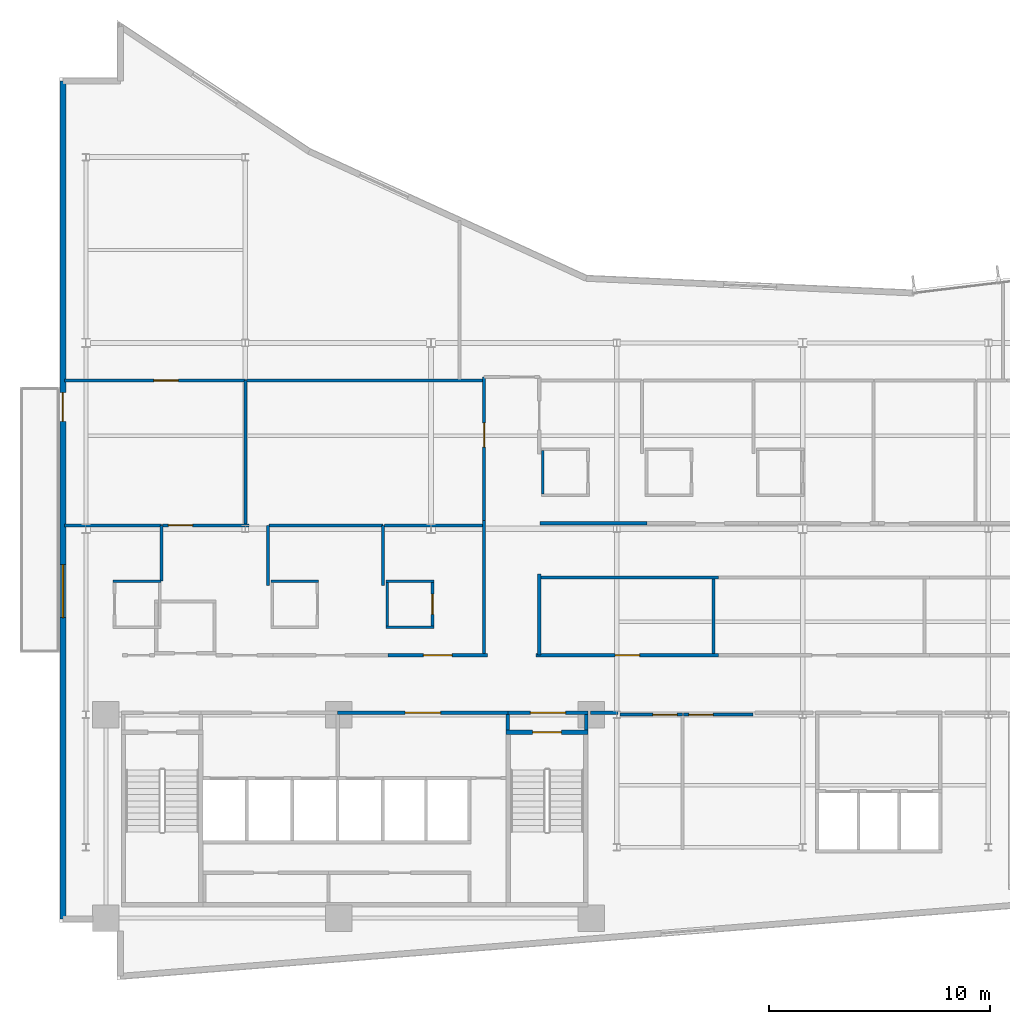
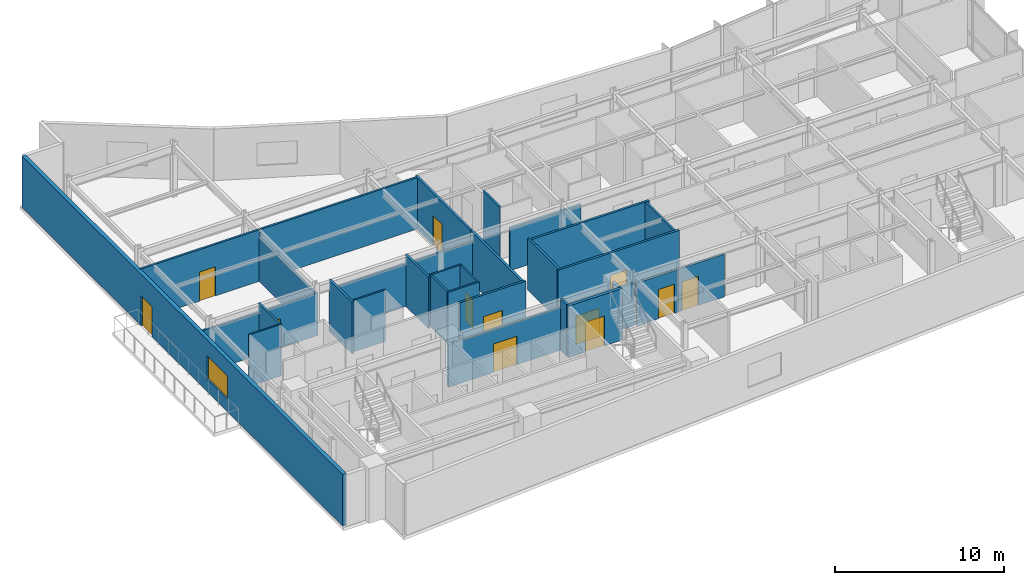
# One storey, part 11 of 18: 34 walls, 12 doors, 1 window, 13 openings.
"""IFC4 building model written with IfcOpenShell, lengths in metres."""

from ifc_helpers import new_model, si_unit, direction, frame, frame_2d, origin, place, context, subcontext, project, spatial, rectangle, extrude, material, layer, layer_set, type_object, element, fill, save


model = new_model("IFC4")

# Units and contexts
model_context = context("Model", 3, precision=1e-05, world=origin(), true_north=direction((0.0, 1.0)))
body_context = subcontext(model_context, "Body", "Model", "MODEL_VIEW")
ifc_project = project(units=[si_unit("LENGTHUNIT", "METRE"), si_unit("AREAUNIT", "SQUARE_METRE"), si_unit("VOLUMEUNIT", "CUBIC_METRE"), si_unit("PLANEANGLEUNIT", "RADIAN"), si_unit("MASSUNIT", "GRAM", prefix="KILO")], contexts=[model_context])

# Site, building, storey
site_placement = place(None, origin())
site = spatial("IfcSite", under=ifc_project, at=site_placement, CompositionType="ELEMENT")
building_placement = place(site_placement, origin())
building = spatial("IfcBuilding", under=site, at=building_placement, Name="Varnakote Quay Hospital", CompositionType="ELEMENT")
storey_placement = place(building_placement, frame((0.0, 0.0, 119.14990234375)))
storey = spatial("IfcBuildingStorey", under=building, at=storey_placement, Name="L29", CompositionType="ELEMENT", Elevation=119.14990234375)

# Wall, opening, door
ifc_material_1 = material(Name="Fire-rated acoustic gypsum stud wall", Category="gypsum")
ifc_layer_1 = layer(ifc_material_1, 0.159912109375)
ifc_layer_set_1 = layer_set([ifc_layer_1], Name="Fire-rated acoustic gypsum stud wall")
wall_type_1 = type_object("IfcWallType", Name="WL-COMP-160", PredefinedType="PARTITIONING", material=ifc_layer_set_1)
wall_1_placement = place(storey_placement, frame((12.580078125, 12.080078125, 0.0), z_axis=(0.0, 0.0, 1.0), x_axis=(1.0, 0.0, 0.0)))
wall_1 = element("IfcWall", 1, at=wall_1_placement, inside=storey, type_object=wall_type_1, Name="L29 Clinical Bed Lift Lobby Wall", PredefinedType="PARTITIONING", context=body_context, shape_type="SweptSolid", body=[
    extrude(rectangle(XDim=7.699951171875, YDim=0.159912109375, at=frame_2d((3.85009765625, 0.0))), origin(), (0.0, 0.0, 1.0), 3.0830078125),
])
opening_1_placement = place(wall_1_placement, frame((3.050048828125, 0.0, 0.0)))
opening_1 = element("IfcOpeningElement", 2, at=opening_1_placement, cuts=wall_1, Name="Opening D-SVL-L29", PredefinedType="OPENING", context=body_context, shape_type="SweptSolid", body=[
    extrude(rectangle(XDim=1.60009765625, YDim=2.050048828125, at=frame_2d((0.800048828125, 1.02490234375))), frame((0.0, 0.08984375, 0.0), z_axis=(0.0, -1.0, 0.0), x_axis=(1.0, 0.0, 0.0)), (0.0, 0.0, 1.0), 0.179931640625),
])
ifc_material_2 = material(Name="Fire-rated double smoke lobby door")
door_type_1 = type_object("IfcDoorType", Name="DR-LOBBY-FD60S-1600x2150", OperationType="NOTDEFINED", PredefinedType="DOOR", material=ifc_material_2)
door_1_placement = place(opening_1_placement, origin())
door_1 = element("IfcDoor", 3, at=door_1_placement, inside=storey, type_object=door_type_1, Name="L29 Clinical Core Smoke Vestibule Door", OperationType="DOUBLE_DOOR_SINGLE_SWING", OverallHeight=2.050048828125, OverallWidth=1.60009765625, PredefinedType="DOOR", context=body_context, shape_type="SweptSolid", body=[
    extrude(rectangle(XDim=1.60009765625, YDim=2.050048828125, at=frame_2d((0.800048828125, 1.02490234375))), frame((0.0, 0.02490234375, 0.0), z_axis=(0.0, -1.0, 0.0), x_axis=(1.0, 0.0, 0.0)), (0.0, 0.0, 1.0), 0.050048828125),
])
fill(opening_1, door_1)

# Wall
wall_2_placement = place(storey_placement, frame((20.280029296875, 11.300048828125, 0.0), z_axis=(0.0, 0.0, 1.0), x_axis=(0.0, 1.0, 0.0)))
element("IfcWall", 4, at=wall_2_placement, inside=storey, type_object=wall_type_1, Name="L29 East Stair Vestibule Divider Wall", PredefinedType="PARTITIONING", context=body_context, shape_type="SweptSolid", body=[
    extrude(rectangle(XDim=0.699951171875, YDim=0.159912109375, at=frame_2d((0.35009765625, 0.0))), origin(), (0.0, 0.0, 1.0), 3.710205078125),
])

# Wall, opening, door
wall_3_placement = place(storey_placement, frame((20.280029296875, 12.080078125, 0.0), z_axis=(0.0, 0.0, 1.0), x_axis=(1.0, 0.0, 0.0)))
wall_3 = element("IfcWall", 5, at=wall_3_placement, inside=storey, type_object=wall_type_1, Name="L29 East Stair Vestibule Smoke Wall", PredefinedType="PARTITIONING", context=body_context, shape_type="SweptSolid", body=[
    extrude(rectangle(XDim=3.619873046875, YDim=0.159912109375, at=frame_2d((1.81005859375, 0.0))), origin(), (0.0, 0.0, 1.0), 3.0830078125),
])
opening_2_placement = place(wall_3_placement, frame((1.010009765625, 0.0, 0.0)))
opening_2 = element("IfcOpeningElement", 6, at=opening_2_placement, cuts=wall_3, Name="Opening D-ST2L-L29", PredefinedType="OPENING", context=body_context, shape_type="SweptSolid", body=[
    extrude(rectangle(XDim=1.60009765625, YDim=2.050048828125, at=frame_2d((0.800048828125, 1.02490234375))), frame((0.0, 0.08984375, 0.0), z_axis=(0.0, -1.0, 0.0), x_axis=(1.0, 0.0, 0.0)), (0.0, 0.0, 1.0), 0.179931640625),
])
door_2_placement = place(opening_2_placement, origin())
door_2 = element("IfcDoor", 7, at=door_2_placement, inside=storey, type_object=door_type_1, Name="L29 East Stair Vestibule Smoke Door", OperationType="DOUBLE_DOOR_SINGLE_SWING", OverallHeight=2.050048828125, OverallWidth=1.60009765625, PredefinedType="DOOR", context=body_context, shape_type="SweptSolid", body=[
    extrude(rectangle(XDim=1.60009765625, YDim=2.050048828125, at=frame_2d((0.800048828125, 1.02490234375))), frame((0.0, 0.02490234375, 0.0), z_axis=(0.0, -1.0, 0.0), x_axis=(1.0, 0.0, 0.0)), (0.0, 0.0, 1.0), 0.050048828125),
])
fill(opening_2, door_2)

# Walls
wall_4_placement = place(storey_placement, frame((23.820068359375, 11.300048828125, 0.0), z_axis=(0.0, 0.0, 1.0), x_axis=(0.0, 1.0, 0.0)))
element("IfcWall", 8, at=wall_4_placement, inside=storey, type_object=wall_type_1, Name="L29 East Stair Vestibule East Wall", PredefinedType="PARTITIONING", context=body_context, shape_type="SweptSolid", body=[
    extrude(rectangle(XDim=0.699951171875, YDim=0.159912109375, at=frame_2d((0.35009765625, 0.0))), origin(), (0.0, 0.0, 1.0), 3.710205078125),
])
wall_5_placement = place(storey_placement, frame((24.02001953125, 12.080078125, 0.0), z_axis=(0.0, 0.0, 1.0), x_axis=(1.0, 0.0, 0.0)))
element("IfcWall", 9, at=wall_5_placement, inside=storey, type_object=wall_type_1, Name="L29 Corridor South Gap Wall", PredefinedType="PARTITIONING", context=body_context, shape_type="SweptSolid", body=[
    extrude(rectangle(XDim=1.2451171875, YDim=0.159912109375, at=frame_2d((0.62255859375, 0.0))), origin(), (0.0, 0.0, 1.0), 3.0830078125),
])
ifc_material_3 = material(Name="Moisture-resistant bathroom partition", Category="gypsum")
ifc_layer_2 = layer(ifc_material_3, 0.114990234375)
ifc_layer_set_2 = layer_set([ifc_layer_2], Name="Moisture-resistant bathroom partition")
wall_type_2 = type_object("IfcWallType", Name="WL-ENS-115", PredefinedType="PARTITIONING", material=ifc_layer_set_2)
wall_6_placement = place(storey_placement, frame((2.43505859375, 18.017578125, 0.0), z_axis=(0.0, 0.0, 1.0), x_axis=(1.0, 0.0, 0.0)))
element("IfcWall", 10, at=wall_6_placement, inside=storey, type_object=wall_type_2, Name="L29 Inpatient En-Suite Bathroom 01 N Wall", PredefinedType="PARTITIONING", context=body_context, shape_type="SweptSolid", body=[
    extrude(rectangle(XDim=2.14990234375, YDim=0.114990234375, at=frame_2d((1.074951171875, 0.0))), origin(), (0.0, 0.0, 1.0), 3.710205078125),
])
for number, where, z_axis, x_axis, name in (
    (11, (9.574951171875, 18.017578125, 0.0), (0.0, 0.0, 1.0), (1.0, 0.0, 0.0), "L29 Inpatient En-Suite Bathroom 02 N Wall"),
    (12, (14.77490234375, 15.952392578125, 0.0), (0.0, 0.0, 1.0), (1.0, 0.0, 0.0), "L29 Inpatient En-Suite Bathroom 03 S Wall"),
    (13, (14.77490234375, 18.017578125, 0.0), (0.0, 0.0, 1.0), (1.0, 0.0, 0.0), "L29 Inpatient En-Suite Bathroom 03 N Wall"),
):
    element("IfcWall", number, at=place(storey_placement, frame(where, z_axis=z_axis, x_axis=x_axis)), inside=storey, type_object=wall_type_2, Name=name, PredefinedType="PARTITIONING", context=body_context, shape_type="SweptSolid", body=[
        extrude(rectangle(XDim=2.150146484375, YDim=0.114990234375, at=frame_2d((1.0751953125, 0.0))), origin(), (0.0, 0.0, 1.0), 3.710205078125),
    ])
wall_7_placement = place(storey_placement, frame((14.83251953125, 16.010009765625, 0.0), z_axis=(0.0, 0.0, 1.0), x_axis=(0.0, 1.0, 0.0)))
element("IfcWall", 14, at=wall_7_placement, inside=storey, type_object=wall_type_2, Name="L29 Inpatient En-Suite Bathroom 03 W Wall", PredefinedType="PARTITIONING", context=body_context, shape_type="SweptSolid", body=[
    extrude(rectangle(XDim=1.949951171875, YDim=0.114990234375, at=frame_2d((0.97509765625, 0.0))), origin(), (0.0, 0.0, 1.0), 3.710205078125),
])

# Wall, opening, door
wall_8_placement = place(storey_placement, frame((16.867431640625, 16.010009765625, 0.0), z_axis=(0.0, 0.0, 1.0), x_axis=(0.0, 1.0, 0.0)))
wall_8 = element("IfcWall", 15, at=wall_8_placement, inside=storey, type_object=wall_type_2, Name="L29 Inpatient En-Suite Bathroom 03 E Wall", PredefinedType="PARTITIONING", context=body_context, shape_type="SweptSolid", body=[
    extrude(rectangle(XDim=1.949951171875, YDim=0.114990234375, at=frame_2d((0.97509765625, 0.0))), origin(), (0.0, 0.0, 1.0), 3.710205078125),
])
opening_3_placement = place(wall_8_placement, frame((0.514892578125, 0.0, 0.0)))
opening_3 = element("IfcOpeningElement", 16, at=opening_3_placement, cuts=wall_8, Name="Opening D-L29-ENS03", PredefinedType="OPENING", context=body_context, shape_type="SweptSolid", body=[
    extrude(rectangle(XDim=0.919921875, YDim=2.10009765625, at=frame_2d((0.4599609375, 1.050048828125))), frame((0.0, 0.0673828125, 0.0), z_axis=(0.0, -1.0, 0.0), x_axis=(1.0, 0.0, 0.0)), (0.0, 0.0, 1.0), 0.135009765625),
])
ifc_material_4 = material(Name="Moisture-sealed en-suite bathroom door")
door_type_2 = type_object("IfcDoorType", Name="DR-ENS-920x2100", OperationType="NOTDEFINED", PredefinedType="DOOR", material=ifc_material_4)
door_3_placement = place(opening_3_placement, origin())
door_3 = element("IfcDoor", 17, at=door_3_placement, inside=storey, type_object=door_type_2, Name="L29 Inpatient En-Suite Bathroom 03 Door", OperationType="SINGLE_SWING_RIGHT", OverallHeight=2.10009765625, OverallWidth=0.919921875, PredefinedType="DOOR", context=body_context, shape_type="SweptSolid", body=[
    extrude(rectangle(XDim=0.919921875, YDim=2.10009765625, at=frame_2d((0.4599609375, 1.050048828125))), frame((0.0, 0.02490234375, 0.0), z_axis=(0.0, -1.0, 0.0), x_axis=(1.0, 0.0, 0.0)), (0.0, 0.0, 1.0), 0.050048828125),
])
fill(opening_3, door_3)

# Wall
wall_9_placement = place(storey_placement, frame((21.862548828125, 21.97998046875, 0.0), z_axis=(0.0, 0.0, 1.0), x_axis=(0.0, 1.0, 0.0)))
element("IfcWall", 18, at=wall_9_placement, inside=storey, type_object=wall_type_2, Name="L29 Inpatient En-Suite Bathroom 04 W Wall", PredefinedType="PARTITIONING", context=body_context, shape_type="SweptSolid", body=[
    extrude(rectangle(XDim=1.949951171875, YDim=0.114990234375, at=frame_2d((0.97509765625, 0.0))), origin(), (0.0, 0.0, 1.0), 3.710205078125),
])

# Wall, openings, door, window
ifc_material_5 = material(Name="Precast concrete N50 (f'c 50 MPa)", Category="concrete")
ifc_layer_3 = layer(ifc_material_5, 0.260009765625)
ifc_layer_set_3 = layer_set([ifc_layer_3], Name="Precast concrete N50 (f'c 50 MPa)")
wall_type_3 = type_object("IfcWallType", Name="WL-EXT-BRICK-260", PredefinedType="STANDARD", material=ifc_layer_set_3)
wall_10_placement = place(storey_placement, frame((0.159912109375, 40.639892578125, 0.0), z_axis=(0.0, 0.0, 1.0), x_axis=(0.0, -1.0, 0.0)))
wall_10 = element("IfcWall", 19, at=wall_10_placement, inside=storey, type_object=wall_type_3, Name="L29 Healing Terrace Portal Brick Wall", PredefinedType="STANDARD", context=body_context, shape_type="SweptSolid", body=[
    extrude(rectangle(XDim=37.8798828125, YDim=0.260009765625, at=frame_2d((18.93994140625, 0.0))), origin(), (0.0, 0.0, 1.0), 3.710205078125),
])
opening_4_placement = place(wall_10_placement, frame((14.0810546875, 0.0, 0.0)))
opening_4 = element("IfcOpeningElement", 20, at=opening_4_placement, cuts=wall_10, Name="Opening DT-L29", PredefinedType="OPENING", context=body_context, shape_type="SweptSolid", body=[
    extrude(rectangle(XDim=1.300048828125, YDim=2.14990234375, at=frame_2d((0.64990234375, 1.074951171875))), frame((0.0, 0.139892578125, 0.0), z_axis=(0.0, -1.0, 0.0), x_axis=(1.0, 0.0, 0.0)), (0.0, 0.0, 1.0), 0.280029296875),
])
opening_5_placement = place(wall_10_placement, frame((21.856201171875, 0.0, 0.89990234375)))
opening_5 = element("IfcOpeningElement", 21, at=opening_5_placement, cuts=wall_10, Name="Opening WN-0311", PredefinedType="OPENING", context=body_context, shape_type="SweptSolid", body=[
    extrude(rectangle(XDim=2.39990234375, YDim=1.64990234375, at=frame_2d((1.199951171875, 0.824951171875))), frame((0.0, 0.139892578125, 0.0), z_axis=(0.0, -1.0, 0.0), x_axis=(1.0, 0.0, 0.0)), (0.0, 0.0, 1.0), 0.280029296875),
])
ifc_material_6 = material(Name="Anodised aluminium glazed terrace door", Category="aluminium")
door_type_3 = type_object("IfcDoorType", Name="DR-EXT-TERR-1300x2150", OperationType="NOTDEFINED", PredefinedType="DOOR", material=ifc_material_6)
door_4_placement = place(opening_4_placement, origin())
door_4 = element("IfcDoor", 22, at=door_4_placement, inside=storey, type_object=door_type_3, Name="L29 Waterfront Healing Terrace Door", OperationType="SINGLE_SWING_RIGHT", OverallHeight=2.14990234375, OverallWidth=1.300048828125, PredefinedType="DOOR", context=body_context, shape_type="SweptSolid", body=[
    extrude(rectangle(XDim=1.300048828125, YDim=2.14990234375, at=frame_2d((0.64990234375, 1.074951171875))), frame((0.0, 0.02490234375, 0.0), z_axis=(0.0, -1.0, 0.0), x_axis=(1.0, 0.0, 0.0)), (0.0, 0.0, 1.0), 0.050048828125),
])
fill(opening_4, door_4)
ifc_material_7 = material(Name="Double-glazed low-E solar glass", Category="glass")
window_type = type_object("IfcWindowType", Name="WIN-CLIN-2400x1650", PartitioningType="SINGLE_PANEL", PredefinedType="WINDOW", material=ifc_material_7)
window_placement = place(opening_5_placement, origin())
window = element("IfcWindow", 23, at=window_placement, inside=storey, type_object=window_type, Name="L29 Solar-Control Clinical Window", OverallHeight=1.64990234375, OverallWidth=2.39990234375, PartitioningType="SINGLE_PANEL", PredefinedType="WINDOW", context=body_context, shape_type="SweptSolid", body=[
    extrude(rectangle(XDim=2.39990234375, YDim=1.64990234375, at=frame_2d((1.199951171875, 0.824951171875))), frame((0.0, 0.030029296875, 0.0), z_axis=(0.0, -1.0, 0.0), x_axis=(1.0, 0.0, 0.0)), (0.0, 0.0, 1.0), 0.06005859375),
])
fill(opening_5, window)

# Wall, opening, door
ifc_material_8 = material(Name="Concrete N50 (f'c 50 MPa)", Category="concrete")
ifc_layer_4 = layer(ifc_material_8, 0.199951171875)
ifc_layer_set_4 = layer_set([ifc_layer_4], Name="Concrete N50 (f'c 50 MPa)")
wall_type_4 = type_object("IfcWallType", Name="WL-SHAFT-N50-200", PredefinedType="SHEAR", material=ifc_layer_set_4)
wall_11_placement = place(storey_placement, frame((20.199951171875, 11.199951171875, 0.0), z_axis=(0.0, 0.0, 1.0), x_axis=(1.0, 0.0, 0.0)))
wall_11 = element("IfcWall", 24, at=wall_11_placement, inside=storey, type_object=wall_type_4, Name="L29 Stair ST2 Exit Wall", PredefinedType="SHEAR", context=body_context, shape_type="SweptSolid", body=[
    extrude(rectangle(XDim=3.699951171875, YDim=0.199951171875, at=frame_2d((1.85009765625, 0.0))), origin(), (0.0, 0.0, 1.0), 3.710205078125),
])
opening_6_placement = place(wall_11_placement, frame((1.199951171875, 0.0, 0.0)))
opening_6 = element("IfcOpeningElement", 25, at=opening_6_placement, cuts=wall_11, Name="Opening D-ST2-L29", PredefinedType="OPENING", context=body_context, shape_type="SweptSolid", body=[
    extrude(rectangle(XDim=1.300048828125, YDim=2.14990234375, at=frame_2d((0.64990234375, 1.074951171875))), frame((0.0, 0.10986328125, 0.0), z_axis=(0.0, -1.0, 0.0), x_axis=(1.0, 0.0, 0.0)), (0.0, 0.0, 1.0), 0.219970703125),
])
ifc_material_9 = material(Name="Fire-rated ceramic-glazed timber exit door", Category="wood")
door_type_4 = type_object("IfcDoorType", Name="DR-STAIR-FD60S-1300x2150", OperationType="NOTDEFINED", PredefinedType="DOOR", material=ifc_material_9)
door_5_placement = place(opening_6_placement, origin())
door_5 = element("IfcDoor", 26, at=door_5_placement, inside=storey, type_object=door_type_4, Name="L29 Stair ST2 Fire Exit Door", OperationType="SINGLE_SWING_RIGHT", OverallHeight=2.14990234375, OverallWidth=1.300048828125, PredefinedType="DOOR", context=body_context, shape_type="SweptSolid", body=[
    extrude(rectangle(XDim=1.300048828125, YDim=2.14990234375, at=frame_2d((0.64990234375, 1.074951171875))), frame((0.0, 0.02490234375, 0.0), z_axis=(0.0, -1.0, 0.0), x_axis=(1.0, 0.0, 0.0)), (0.0, 0.0, 1.0), 0.050048828125),
])
fill(opening_6, door_5)

# Walls
ifc_material_10 = material(Name="Smoke-proof clinical partition", Category="gypsum")
ifc_layer_5 = layer(ifc_material_10, 0.135009765625)
ifc_layer_set_5 = layer_set([ifc_layer_5], Name="Smoke-proof clinical partition")
wall_type_5 = type_object("IfcWallType", Name="WL-SMOKE-135", PredefinedType="PARTITIONING", material=ifc_layer_set_5)
wall_12_placement = place(storey_placement, frame((4.610107421875, 18.0400390625, 0.0), z_axis=(0.0, 0.0, 1.0), x_axis=(0.0, 1.0, 0.0)))
element("IfcWall", 27, at=wall_12_placement, inside=storey, type_object=wall_type_5, Name="L29 Clinical Interior Partition", PredefinedType="PARTITIONING", context=body_context, shape_type="SweptSolid", body=[
    extrude(rectangle(XDim=2.510009765625, YDim=0.135009765625, at=frame_2d((1.2548828125, 0.0))), origin(), (0.0, 0.0, 1.0), 3.710205078125),
])
wall_13_placement = place(storey_placement, frame((4.610107421875, 20.550048828125, 0.0), z_axis=(0.0, 0.0, 1.0), x_axis=(-1.0, 0.0, 0.0)))
element("IfcWall", 28, at=wall_13_placement, inside=storey, type_object=wall_type_5, Name="L29 Clinical Interior Partition", PredefinedType="PARTITIONING", context=body_context, shape_type="SweptSolid", body=[
    extrude(rectangle(XDim=4.3701171875, YDim=0.135009765625, at=frame_2d((2.18505859375, 0.0))), origin(), (0.0, 0.0, 1.0), 3.0830078125),
])
wall_14_placement = place(storey_placement, frame((9.429931640625, 17.83251953125, 0.0), z_axis=(0.0, 0.0, 1.0), x_axis=(0.0, 1.0, 0.0)))
element("IfcWall", 29, at=wall_14_placement, inside=storey, type_object=wall_type_5, Name="L29 Clinical Interior Partition", PredefinedType="PARTITIONING", context=body_context, shape_type="SweptSolid", body=[
    extrude(rectangle(XDim=2.717529296875, YDim=0.135009765625, at=frame_2d((1.35888671875, 0.0))), origin(), (0.0, 0.0, 1.0), 3.710205078125),
])

# Wall, opening, door
wall_15_placement = place(storey_placement, frame((8.568359375, 20.550048828125, 0.0), z_axis=(0.0, 0.0, 1.0), x_axis=(-1.0, 0.0, 0.0)))
wall_15 = element("IfcWall", 30, at=wall_15_placement, inside=storey, type_object=wall_type_5, Name="L29 Clinical Interior Partition", PredefinedType="PARTITIONING", context=body_context, shape_type="SweptSolid", body=[
    extrude(rectangle(XDim=3.90087890625, YDim=0.135009765625, at=frame_2d((1.950439453125, 0.0))), origin(), (0.0, 0.0, 1.0), 3.0830078125),
])
opening_7_placement = place(wall_15_placement, frame((2.540771484375, 0.0, 0.0)))
opening_7 = element("IfcOpeningElement", 31, at=opening_7_placement, cuts=wall_15, Name="Opening D-L29-DLNG", PredefinedType="OPENING", context=body_context, shape_type="SweptSolid", body=[
    extrude(rectangle(XDim=1.10009765625, YDim=2.10009765625, at=frame_2d((0.550048828125, 1.050048828125))), frame((0.0, 0.077392578125, 0.0), z_axis=(0.0, -1.0, 0.0), x_axis=(1.0, 0.0, 0.0)), (0.0, 0.0, 1.0), 0.155029296875),
])
ifc_material_11 = material(Name="Acoustic timber clinical consult door", Category="wood")
door_type_5 = type_object("IfcDoorType", Name="DR-CLIN-FD30S-1100x2100", OperationType="NOTDEFINED", PredefinedType="DOOR", material=ifc_material_11)
door_6_placement = place(opening_7_placement, origin())
door_6 = element("IfcDoor", 32, at=door_6_placement, inside=storey, type_object=door_type_5, Name="L29 Waterfront Patient & Family Dayroom Door", OperationType="SINGLE_SWING_RIGHT", OverallHeight=2.10009765625, OverallWidth=1.10009765625, PredefinedType="DOOR", context=body_context, shape_type="SweptSolid", body=[
    extrude(rectangle(XDim=1.10009765625, YDim=2.10009765625, at=frame_2d((0.550048828125, 1.050048828125))), frame((0.0, 0.02490234375, 0.0), z_axis=(0.0, -1.0, 0.0), x_axis=(1.0, 0.0, 0.0)), (0.0, 0.0, 1.0), 0.050048828125),
])
fill(opening_7, door_6)

# Walls
wall_16_placement = place(storey_placement, frame((14.6298828125, 17.83251953125, 0.0), z_axis=(0.0, 0.0, 1.0), x_axis=(0.0, 1.0, 0.0)))
element("IfcWall", 33, at=wall_16_placement, inside=storey, type_object=wall_type_5, Name="L29 Clinical Interior Partition", PredefinedType="PARTITIONING", context=body_context, shape_type="SweptSolid", body=[
    extrude(rectangle(XDim=2.717529296875, YDim=0.135009765625, at=frame_2d((1.35888671875, 0.0))), origin(), (0.0, 0.0, 1.0), 3.710205078125),
])
wall_17_placement = place(storey_placement, frame((14.6298828125, 20.550048828125, 0.0), z_axis=(0.0, 0.0, 1.0), x_axis=(-1.0, 0.0, 0.0)))
element("IfcWall", 34, at=wall_17_placement, inside=storey, type_object=wall_type_5, Name="L29 Clinical Interior Partition", PredefinedType="PARTITIONING", context=body_context, shape_type="SweptSolid", body=[
    extrude(rectangle(XDim=5.142333984375, YDim=0.135009765625, at=frame_2d((2.5712890625, 0.0))), origin(), (0.0, 0.0, 1.0), 3.0830078125),
])
wall_18_placement = place(storey_placement, frame((19.1201171875, 20.550048828125, 0.0), z_axis=(0.0, 0.0, 1.0), x_axis=(-1.0, 0.0, 0.0)))
element("IfcWall", 35, at=wall_18_placement, inside=storey, type_object=wall_type_5, Name="L29 Clinical Interior Partition", PredefinedType="PARTITIONING", context=body_context, shape_type="SweptSolid", body=[
    extrude(rectangle(XDim=4.4326171875, YDim=0.135009765625, at=frame_2d((2.21630859375, 0.0))), origin(), (0.0, 0.0, 1.0), 3.0830078125),
])
wall_19_placement = place(storey_placement, frame((29.580078125, 14.760009765625, 0.0), z_axis=(0.0, 0.0, 1.0), x_axis=(0.0, 1.0, 0.0)))
element("IfcWall", 36, at=wall_19_placement, inside=storey, type_object=wall_type_5, Name="L29 Clinical Interior Partition", PredefinedType="PARTITIONING", context=body_context, shape_type="SweptSolid", body=[
    extrude(rectangle(XDim=3.360107421875, YDim=0.135009765625, at=frame_2d((1.68017578125, 0.0))), origin(), (0.0, 0.0, 1.0), 3.710205078125),
])
wall_20_placement = place(storey_placement, frame((8.409912109375, 20.607421875, 0.0), z_axis=(0.0, 0.0, 1.0), x_axis=(0.0, 1.0, 0.0)))
element("IfcWall", 37, at=wall_20_placement, inside=storey, type_object=wall_type_5, Name="L29 Clinical Interior Partition", PredefinedType="PARTITIONING", context=body_context, shape_type="SweptSolid", body=[
    extrude(rectangle(XDim=6.49267578125, YDim=0.135009765625, at=frame_2d((3.246337890625, 0.0))), origin(), (0.0, 0.0, 1.0), 3.152099609375),
])

# Wall, opening, door
wall_21_placement = place(storey_placement, frame((8.409912109375, 27.10009765625, 0.0), z_axis=(0.0, 0.0, 1.0), x_axis=(-1.0, 0.0, 0.0)))
wall_21 = element("IfcWall", 38, at=wall_21_placement, inside=storey, type_object=wall_type_5, Name="L29 Clinical Interior Partition", PredefinedType="PARTITIONING", context=body_context, shape_type="SweptSolid", body=[
    extrude(rectangle(XDim=8.169921875, YDim=0.135009765625, at=frame_2d((4.0849609375, 0.0))), origin(), (0.0, 0.0, 1.0), 3.710205078125),
])
opening_8_placement = place(wall_21_placement, frame((3.034912109375, 0.0, 0.0)))
opening_8 = element("IfcOpeningElement", 39, at=opening_8_placement, cuts=wall_21, Name="Opening D-L29-MD11", PredefinedType="OPENING", context=body_context, shape_type="SweptSolid", body=[
    extrude(rectangle(XDim=1.10009765625, YDim=2.10009765625, at=frame_2d((0.550048828125, 1.050048828125))), frame((0.0, 0.077392578125, 0.0), z_axis=(0.0, -1.0, 0.0), x_axis=(1.0, 0.0, 0.0)), (0.0, 0.0, 1.0), 0.155029296875),
])
door_7_placement = place(opening_8_placement, origin())
door_7 = element("IfcDoor", 40, at=door_7_placement, inside=storey, type_object=door_type_5, Name="L29 Perinatal Clinical Consultation Suite Door", OperationType="SINGLE_SWING_LEFT", OverallHeight=2.10009765625, OverallWidth=1.10009765625, PredefinedType="DOOR", context=body_context, shape_type="SweptSolid", body=[
    extrude(rectangle(XDim=1.10009765625, YDim=2.10009765625, at=frame_2d((0.550048828125, 1.050048828125))), frame((0.0, 0.02490234375, 0.0), z_axis=(0.0, -1.0, 0.0), x_axis=(1.0, 0.0, 0.0)), (0.0, 0.0, 1.0), 0.050048828125),
])
fill(opening_8, door_7)

# Wall
wall_22_placement = place(storey_placement, frame((19.135009765625, 27.10009765625, 0.0), z_axis=(0.0, 0.0, 1.0), x_axis=(-1.0, 0.0, 0.0)))
element("IfcWall", 41, at=wall_22_placement, inside=storey, type_object=wall_type_5, Name="L29 Clinical Interior Partition", PredefinedType="PARTITIONING", context=body_context, shape_type="SweptSolid", body=[
    extrude(rectangle(XDim=10.66748046875, YDim=0.135009765625, at=frame_2d((5.333740234375, 0.0))), origin(), (0.0, 0.0, 1.0), 3.710205078125),
])

# Wall, opening, door
ifc_material_12 = material(Name="Fire-rated clinical gypsum partition", Category="gypsum")
ifc_layer_6 = layer(ifc_material_12, 0.14990234375)
ifc_layer_set_6 = layer_set([ifc_layer_6], Name="Fire-rated clinical gypsum partition")
wall_type_6 = type_object("IfcWallType", Name="WL-WARD-150", PredefinedType="PARTITIONING", material=ifc_layer_set_6)
wall_23_placement = place(storey_placement, frame((28.159912109375, 12.0, 0.0), z_axis=(0.0, 0.0, 1.0), x_axis=(-1.0, 0.0, 0.0)))
wall_23 = element("IfcWall", 42, at=wall_23_placement, inside=storey, type_object=wall_type_6, Name="L29 Clinical Interior Partition", PredefinedType="PARTITIONING", context=body_context, shape_type="SweptSolid", body=[
    extrude(rectangle(XDim=2.805419921875, YDim=0.14990234375, at=frame_2d((1.40283203125, 0.0))), origin(), (0.0, 0.0, 1.0), 3.0830078125),
])
opening_9_placement = place(wall_23_placement, frame((0.232666015625, 0.0, 0.0)))
opening_9 = element("IfcOpeningElement", 43, at=opening_9_placement, cuts=wall_23, Name="Opening D-L29-RL1", PredefinedType="OPENING", context=body_context, shape_type="SweptSolid", body=[
    extrude(rectangle(XDim=1.10009765625, YDim=2.10009765625, at=frame_2d((0.550048828125, 1.050048828125))), frame((0.0, 0.0849609375, 0.0), z_axis=(0.0, -1.0, 0.0), x_axis=(1.0, 0.0, 0.0)), (0.0, 0.0, 1.0), 0.169921875),
])
door_8_placement = place(opening_9_placement, origin())
door_8 = element("IfcDoor", 44, at=door_8_placement, inside=storey, type_object=door_type_5, Name="L29 Day Infusion Treatment Suite Door", OperationType="SINGLE_SWING_RIGHT", OverallHeight=2.10009765625, OverallWidth=1.10009765625, PredefinedType="DOOR", context=body_context, shape_type="SweptSolid", body=[
    extrude(rectangle(XDim=1.10009765625, YDim=2.10009765625, at=frame_2d((0.550048828125, 1.050048828125))), frame((0.0, 0.02490234375, 0.0), z_axis=(0.0, -1.0, 0.0), x_axis=(1.0, 0.0, 0.0)), (0.0, 0.0, 1.0), 0.050048828125),
])
fill(opening_9, door_8)

wall_24_placement = place(storey_placement, frame((31.35009765625, 12.0, 0.0), z_axis=(0.0, 0.0, 1.0), x_axis=(-1.0, 0.0, 0.0)))
wall_24 = element("IfcWall", 45, at=wall_24_placement, inside=storey, type_object=wall_type_6, Name="L29 Clinical Interior Partition", PredefinedType="PARTITIONING", context=body_context, shape_type="SweptSolid", body=[
    extrude(rectangle(XDim=3.132568359375, YDim=0.14990234375, at=frame_2d((1.56640625, 0.0))), origin(), (0.0, 0.0, 1.0), 3.0830078125),
])
opening_10_placement = place(wall_24_placement, frame((1.791748046875, 0.0, 0.0)))
opening_10 = element("IfcOpeningElement", 46, at=opening_10_placement, cuts=wall_24, Name="Opening D-L29-RL2", PredefinedType="OPENING", context=body_context, shape_type="SweptSolid", body=[
    extrude(rectangle(XDim=1.10009765625, YDim=2.10009765625, at=frame_2d((0.550048828125, 1.050048828125))), frame((0.0, 0.0849609375, 0.0), z_axis=(0.0, -1.0, 0.0), x_axis=(1.0, 0.0, 0.0)), (0.0, 0.0, 1.0), 0.169921875),
])
door_9_placement = place(opening_10_placement, origin())
door_9 = element("IfcDoor", 47, at=door_9_placement, inside=storey, type_object=door_type_5, Name="L29 Telemedicine Consult Office Door", OperationType="SINGLE_SWING_LEFT", OverallHeight=2.10009765625, OverallWidth=1.10009765625, PredefinedType="DOOR", context=body_context, shape_type="SweptSolid", body=[
    extrude(rectangle(XDim=1.10009765625, YDim=2.10009765625, at=frame_2d((0.550048828125, 1.050048828125))), frame((0.0, 0.02490234375, 0.0), z_axis=(0.0, -1.0, 0.0), x_axis=(1.0, 0.0, 0.0)), (0.0, 0.0, 1.0), 0.050048828125),
])
fill(opening_10, door_9)

wall_25_placement = place(storey_placement, frame((19.345947265625, 14.679931640625, 0.0), z_axis=(0.0, 0.0, 1.0), x_axis=(-1.0, 0.0, 0.0)))
wall_25 = element("IfcWall", 48, at=wall_25_placement, inside=storey, type_object=wall_type_6, Name="L29 Clinical Interior Partition", PredefinedType="PARTITIONING", context=body_context, shape_type="SweptSolid", body=[
    extrude(rectangle(XDim=4.488037109375, YDim=0.14990234375, at=frame_2d((2.244140625, 0.0))), origin(), (0.0, 0.0, 1.0), 3.710205078125),
])
opening_11_placement = place(wall_25_placement, frame((1.593994140625, 0.0, 0.0)))
opening_11 = element("IfcOpeningElement", 49, at=opening_11_placement, cuts=wall_25, Name="Opening D-L29-BR03", PredefinedType="OPENING", context=body_context, shape_type="SweptSolid", body=[
    extrude(rectangle(XDim=1.300048828125, YDim=2.14990234375, at=frame_2d((0.64990234375, 1.074951171875))), frame((0.0, 0.0849609375, 0.0), z_axis=(0.0, -1.0, 0.0), x_axis=(1.0, 0.0, 0.0)), (0.0, 0.0, 1.0), 0.169921875),
])
ifc_material_13 = material(Name="Solid-core timber clinical bed door", Category="wood")
door_type_6 = type_object("IfcDoorType", Name="DR-WARD-FD30S-1300x2150", OperationType="NOTDEFINED", PredefinedType="DOOR", material=ifc_material_13)
door_10_placement = place(opening_11_placement, origin())
door_10 = element("IfcDoor", 50, at=door_10_placement, inside=storey, type_object=door_type_6, Name="L29 Resident Care Bedroom 03 Door", OperationType="SINGLE_SWING_RIGHT", OverallHeight=2.14990234375, OverallWidth=1.300048828125, PredefinedType="DOOR", context=body_context, shape_type="SweptSolid", body=[
    extrude(rectangle(XDim=1.300048828125, YDim=2.14990234375, at=frame_2d((0.64990234375, 1.074951171875))), frame((0.0, 0.02490234375, 0.0), z_axis=(0.0, -1.0, 0.0), x_axis=(1.0, 0.0, 0.0)), (0.0, 0.0, 1.0), 0.050048828125),
])
fill(opening_11, door_10)

wall_26_placement = place(storey_placement, frame((29.805908203125, 14.679931640625, 0.0), z_axis=(0.0, 0.0, 1.0), x_axis=(-1.0, 0.0, 0.0)))
wall_26 = element("IfcWall", 51, at=wall_26_placement, inside=storey, type_object=wall_type_6, Name="L29 Clinical Interior Partition", PredefinedType="PARTITIONING", context=body_context, shape_type="SweptSolid", body=[
    extrude(rectangle(XDim=8.251953125, YDim=0.14990234375, at=frame_2d((4.1259765625, 0.0))), origin(), (0.0, 0.0, 1.0), 3.710205078125),
])
opening_12_placement = place(wall_26_placement, frame((3.575927734375, 0.0, 0.0)))
opening_12 = element("IfcOpeningElement", 52, at=opening_12_placement, cuts=wall_26, Name="Opening D-L29-MD02", PredefinedType="OPENING", context=body_context, shape_type="SweptSolid", body=[
    extrude(rectangle(XDim=1.10009765625, YDim=2.10009765625, at=frame_2d((0.550048828125, 1.050048828125))), frame((0.0, 0.0849609375, 0.0), z_axis=(0.0, -1.0, 0.0), x_axis=(1.0, 0.0, 0.0)), (0.0, 0.0, 1.0), 0.169921875),
])
door_11_placement = place(opening_12_placement, origin())
door_11 = element("IfcDoor", 53, at=door_11_placement, inside=storey, type_object=door_type_5, Name="L29 Specialty Ward Treatment Suite Door", OperationType="SINGLE_SWING_LEFT", OverallHeight=2.10009765625, OverallWidth=1.10009765625, PredefinedType="DOOR", context=body_context, shape_type="SweptSolid", body=[
    extrude(rectangle(XDim=1.10009765625, YDim=2.10009765625, at=frame_2d((0.550048828125, 1.050048828125))), frame((0.0, 0.02490234375, 0.0), z_axis=(0.0, -1.0, 0.0), x_axis=(1.0, 0.0, 0.0)), (0.0, 0.0, 1.0), 0.050048828125),
])
fill(opening_12, door_11)

# Walls
wall_27_placement = place(storey_placement, frame((19.199951171875, 20.77587890625, 0.0), z_axis=(0.0, 0.0, 1.0), x_axis=(0.0, -1.0, 0.0)))
element("IfcWall", 54, at=wall_27_placement, inside=storey, type_object=wall_type_6, Name="L29 Clinical Interior Partition", PredefinedType="PARTITIONING", context=body_context, shape_type="SweptSolid", body=[
    extrude(rectangle(XDim=6.075927734375, YDim=0.14990234375, at=frame_2d((3.0380859375, 0.0))), origin(), (0.0, 0.0, 1.0), 3.710205078125),
])
wall_28_placement = place(storey_placement, frame((21.699951171875, 14.699951171875, 0.0), z_axis=(0.0, 0.0, 1.0), x_axis=(0.0, 1.0, 0.0)))
element("IfcWall", 55, at=wall_28_placement, inside=storey, type_object=wall_type_6, Name="L29 Clinical Interior Partition", PredefinedType="PARTITIONING", context=body_context, shape_type="SweptSolid", body=[
    extrude(rectangle(XDim=3.64599609375, YDim=0.14990234375, at=frame_2d((1.822998046875, 0.0))), origin(), (0.0, 0.0, 1.0), 3.710205078125),
])

# Wall, opening, door
wall_29_placement = place(storey_placement, frame((19.199951171875, 27.260009765625, 0.0), z_axis=(0.0, 0.0, 1.0), x_axis=(0.0, -1.0, 0.0)))
wall_29 = element("IfcWall", 56, at=wall_29_placement, inside=storey, type_object=wall_type_6, Name="L29 Clinical Interior Partition", PredefinedType="PARTITIONING", context=body_context, shape_type="SweptSolid", body=[
    extrude(rectangle(XDim=6.48193359375, YDim=0.14990234375, at=frame_2d((3.240966796875, 0.0))), origin(), (0.0, 0.0, 1.0), 3.710205078125),
])
opening_13_placement = place(wall_29_placement, frame((2.068359375, 0.0, 0.0)))
opening_13 = element("IfcOpeningElement", 57, at=opening_13_placement, cuts=wall_29, Name="Opening D-L29-MD06", PredefinedType="OPENING", context=body_context, shape_type="SweptSolid", body=[
    extrude(rectangle(XDim=1.10009765625, YDim=2.10009765625, at=frame_2d((0.550048828125, 1.050048828125))), frame((0.0, 0.0849609375, 0.0), z_axis=(0.0, -1.0, 0.0), x_axis=(1.0, 0.0, 0.0)), (0.0, 0.0, 1.0), 0.169921875),
])
door_12_placement = place(opening_13_placement, origin())
door_12 = element("IfcDoor", 58, at=door_12_placement, inside=storey, type_object=door_type_5, Name="L29 Specialty Ward Treatment Suite Door", OperationType="SINGLE_SWING_LEFT", OverallHeight=2.10009765625, OverallWidth=1.10009765625, PredefinedType="DOOR", context=body_context, shape_type="SweptSolid", body=[
    extrude(rectangle(XDim=1.10009765625, YDim=2.10009765625, at=frame_2d((0.550048828125, 1.050048828125))), frame((0.0, 0.02490234375, 0.0), z_axis=(0.0, -1.0, 0.0), x_axis=(1.0, 0.0, 0.0)), (0.0, 0.0, 1.0), 0.050048828125),
])
fill(opening_13, door_12)

# Walls
wall_30_placement = place(storey_placement, frame((21.719970703125, 18.199951171875, 0.0), z_axis=(0.0, 0.0, 1.0), x_axis=(1.0, 0.0, 0.0)))
element("IfcWall", 59, at=wall_30_placement, inside=storey, type_object=wall_type_6, Name="L29 Clinical Interior Partition", PredefinedType="PARTITIONING", context=body_context, shape_type="SweptSolid", body=[
    extrude(rectangle(XDim=8.0859375, YDim=0.14990234375, at=frame_2d((4.04296875, 0.0))), origin(), (0.0, 0.0, 1.0), 3.710205078125),
])
wall_31_placement = place(storey_placement, frame((26.56591796875, 20.64990234375, 0.0), z_axis=(0.0, 0.0, 1.0), x_axis=(-1.0, 0.0, 0.0)))
element("IfcWall", 60, at=wall_31_placement, inside=storey, type_object=wall_type_6, Name="L29 Clinical Interior Partition", PredefinedType="PARTITIONING", context=body_context, shape_type="SweptSolid", body=[
    extrude(rectangle(XDim=4.845947265625, YDim=0.14990234375, at=frame_2d((2.4228515625, 0.0))), origin(), (0.0, 0.0, 1.0), 3.0830078125),
])

save(model, "model.ifc")
